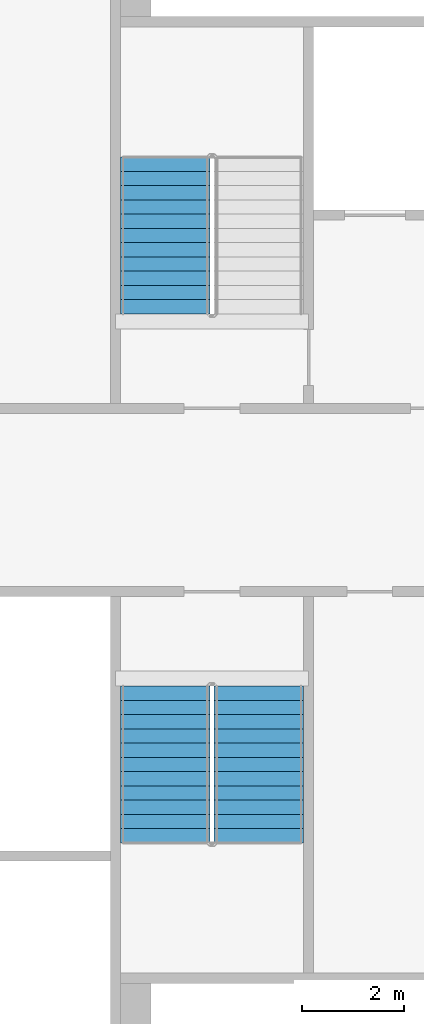
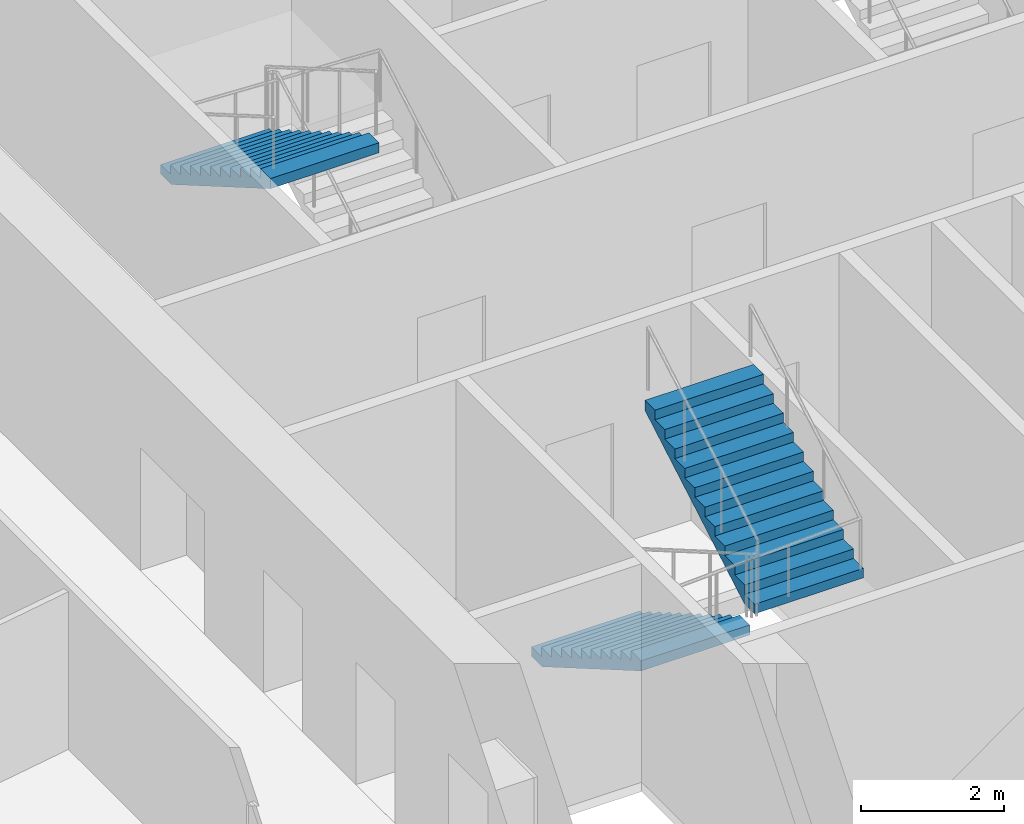
# One storey, part 8 of 16: 3 stair flights, 2 elements without a shape of their own.
"""IFC4 building model written with IfcOpenShell, lengths in metres."""

from ifc_helpers import new_model, si_unit, direction, frame, origin, place, context, subcontext, project, spatial, faceted_brep, material, type_object, element, aggregate, save


model = new_model("IFC4")

# Units and contexts
model_context = context("Model", 3, precision=1e-05, world=origin(), true_north=direction((0.0, 1.0)))
body_context = subcontext(model_context, "Body", "Model", "MODEL_VIEW")
ifc_project = project(units=[si_unit("LENGTHUNIT", "METRE"), si_unit("AREAUNIT", "SQUARE_METRE"), si_unit("VOLUMEUNIT", "CUBIC_METRE"), si_unit("PLANEANGLEUNIT", "RADIAN"), si_unit("MASSUNIT", "GRAM", prefix="KILO")], contexts=[model_context])

# Site, building, storey
site_placement = place(None, origin())
site = spatial("IfcSite", under=ifc_project, at=site_placement, CompositionType="ELEMENT")
building_placement = place(site_placement, origin())
building = spatial("IfcBuilding", under=site, at=building_placement, Name="Tarsis Ring Headquarters", CompositionType="ELEMENT")
storey_placement = place(building_placement, frame((0.0, 0.0, 96.699951171875)))
storey = spatial("IfcBuildingStorey", under=building, at=storey_placement, Name="L21", CompositionType="ELEMENT", Elevation=96.699951171875)

# Stair, stair flight
ifc_material_1 = material(Name="Core stair 1760")
stair_type = type_object("IfcStairType", Name="Core stair 1760", PredefinedType="HALF_TURN_STAIR", material=ifc_material_1)
stair_1_placement = place(storey_placement, origin())
stair_1 = element("IfcStair", 1, at=stair_1_placement, inside=storey, type_object=stair_type, Name="L21 Firefighting stair", PredefinedType="HALF_TURN_STAIR")
ifc_material_2 = material(Name="Concrete C40/50", Category="concrete")
stair_flight_type = type_object("IfcStairFlightType", Name="Core stair flight 1760", PredefinedType="STRAIGHT", material=ifc_material_2)
stair_flight_1_placement = place(storey_placement, frame((-5.419921875, 6.739990234375, 1.949951171875), z_axis=(0.0, 0.0, 1.0), x_axis=(0.0, -1.0, 0.0)))
stair_flight_1 = element("IfcStairFlight", 2, at=stair_flight_1_placement, type_object=stair_flight_type, Name="Stair ST1 flight 2", NumberOfRisers=12, NumberOfTreads=11, PredefinedType="STRAIGHT", RiserHeight=0.1625, TreadLength=0.28, context=body_context, shape_type="Brep", body=[
    faceted_brep([(0.0, 0.8798828125, 0.0), (0.0, 0.8798828125, 0.16259765625), (0.280029296875, 0.8798828125, 0.16259765625), (0.280029296875, 0.8798828125, 0.324951171875), (0.56005859375, 0.8798828125, 0.324951171875), (0.56005859375, 0.8798828125, 0.487548828125), (0.840087890625, 0.8798828125, 0.487548828125), (0.840087890625, 0.8798828125, 0.64990234375), (1.1201171875, 0.8798828125, 0.64990234375), (1.1201171875, 0.8798828125, 0.8125), (1.39990234375, 0.8798828125, 0.8125), (1.39990234375, 0.8798828125, 0.97509765625), (1.679931640625, 0.8798828125, 0.97509765625), (1.679931640625, 0.8798828125, 1.137451171875), (1.9599609375, 0.8798828125, 1.137451171875), (1.9599609375, 0.8798828125, 1.300048828125), (2.239990234375, 0.8798828125, 1.300048828125), (2.239990234375, 0.8798828125, 1.46240234375), (2.52001953125, 0.8798828125, 1.46240234375), (2.52001953125, 0.8798828125, 1.625), (2.800048828125, 0.8798828125, 1.625), (2.800048828125, 0.8798828125, 1.78759765625), (3.080078125, 0.8798828125, 1.78759765625), (3.080078125, 0.8798828125, 1.6142578125), (0.298583984375, 0.8798828125, 0.0), (0.298583984375, -0.8798828125, 0.0), (3.080078125, -0.8798828125, 1.6142578125), (3.080078125, -0.8798828125, 1.78759765625), (2.800048828125, -0.8798828125, 1.78759765625), (2.800048828125, -0.8798828125, 1.625), (2.52001953125, -0.8798828125, 1.625), (2.52001953125, -0.8798828125, 1.46240234375), (2.239990234375, -0.8798828125, 1.46240234375), (2.239990234375, -0.8798828125, 1.300048828125), (1.9599609375, -0.8798828125, 1.300048828125), (1.9599609375, -0.8798828125, 1.137451171875), (1.679931640625, -0.8798828125, 1.137451171875), (1.679931640625, -0.8798828125, 0.97509765625), (1.39990234375, -0.8798828125, 0.97509765625), (1.39990234375, -0.8798828125, 0.8125), (1.1201171875, -0.8798828125, 0.8125), (1.1201171875, -0.8798828125, 0.64990234375), (0.840087890625, -0.8798828125, 0.64990234375), (0.840087890625, -0.8798828125, 0.487548828125), (0.56005859375, -0.8798828125, 0.487548828125), (0.56005859375, -0.8798828125, 0.324951171875), (0.280029296875, -0.8798828125, 0.324951171875), (0.280029296875, -0.8798828125, 0.16259765625), (0.0, -0.8798828125, 0.16259765625), (0.0, -0.8798828125, 0.0), (0.0, -0.43994140625, 0.16259765625), (0.0, -0.43994140625, 0.0), (0.0, 0.0, 0.16259765625), (0.0, 0.0, 0.0), (0.0, 0.43994140625, 0.16259765625), (0.0, 0.43994140625, 0.0), (0.280029296875, -0.43994140625, 0.16259765625), (0.280029296875, 0.0, 0.16259765625), (0.280029296875, 0.43994140625, 0.16259765625), (0.280029296875, -0.43994140625, 0.324951171875), (0.280029296875, 0.0, 0.324951171875), (0.280029296875, 0.43994140625, 0.324951171875), (0.56005859375, -0.43994140625, 0.324951171875), (0.56005859375, 0.0, 0.324951171875), (0.56005859375, 0.43994140625, 0.324951171875), (0.56005859375, -0.43994140625, 0.487548828125), (0.56005859375, 0.0, 0.487548828125), (0.56005859375, 0.43994140625, 0.487548828125), (0.840087890625, -0.43994140625, 0.487548828125), (0.840087890625, 0.0, 0.487548828125), (0.840087890625, 0.43994140625, 0.487548828125), (0.840087890625, -0.43994140625, 0.64990234375), (0.840087890625, 0.0, 0.64990234375), (0.840087890625, 0.43994140625, 0.64990234375), (1.1201171875, -0.43994140625, 0.64990234375), (1.1201171875, 0.0, 0.64990234375), (1.1201171875, 0.43994140625, 0.64990234375), (1.1201171875, -0.43994140625, 0.8125), (1.1201171875, 0.0, 0.8125), (1.1201171875, 0.43994140625, 0.8125), (1.39990234375, -0.43994140625, 0.8125), (1.39990234375, 0.0, 0.8125), (1.39990234375, 0.43994140625, 0.8125), (1.39990234375, -0.43994140625, 0.97509765625), (1.39990234375, 0.0, 0.97509765625), (1.39990234375, 0.43994140625, 0.97509765625), (1.679931640625, -0.43994140625, 0.97509765625), (1.679931640625, 0.0, 0.97509765625), (1.679931640625, 0.43994140625, 0.97509765625), (1.679931640625, -0.43994140625, 1.137451171875), (1.679931640625, 0.0, 1.137451171875), (1.679931640625, 0.43994140625, 1.137451171875), (1.9599609375, -0.43994140625, 1.137451171875), (1.9599609375, 0.0, 1.137451171875), (1.9599609375, 0.43994140625, 1.137451171875), (1.9599609375, -0.43994140625, 1.300048828125), (1.9599609375, 0.0, 1.300048828125), (1.9599609375, 0.43994140625, 1.300048828125), (2.239990234375, -0.43994140625, 1.300048828125), (2.239990234375, 0.0, 1.300048828125), (2.239990234375, 0.43994140625, 1.300048828125), (2.239990234375, -0.43994140625, 1.46240234375), (2.239990234375, 0.0, 1.46240234375), (2.239990234375, 0.43994140625, 1.46240234375), (2.52001953125, -0.43994140625, 1.46240234375), (2.52001953125, 0.0, 1.46240234375), (2.52001953125, 0.43994140625, 1.46240234375), (2.52001953125, -0.43994140625, 1.625), (2.52001953125, 0.0, 1.625), (2.52001953125, 0.43994140625, 1.625), (2.800048828125, -0.43994140625, 1.625), (2.800048828125, 0.0, 1.625), (2.800048828125, 0.43994140625, 1.625), (2.800048828125, -0.43994140625, 1.78759765625), (2.800048828125, 0.0, 1.78759765625), (2.800048828125, 0.43994140625, 1.78759765625), (3.080078125, -0.43994140625, 1.78759765625), (3.080078125, 0.0, 1.78759765625), (3.080078125, 0.43994140625, 1.78759765625), (3.080078125, -0.43994140625, 1.6142578125), (3.080078125, 0.0, 1.6142578125), (3.080078125, 0.43994140625, 1.6142578125), (0.298583984375, -0.43994140625, 0.0), (0.298583984375, 0.0, 0.0), (0.298583984375, 0.43994140625, 0.0)], [[[0, 1, 2, 3, 4, 5, 6, 7, 8, 9, 10, 11, 12, 13, 14, 15, 16, 17, 18, 19, 20, 21, 22, 23, 24]], [[25, 26, 27, 28, 29, 30, 31, 32, 33, 34, 35, 36, 37, 38, 39, 40, 41, 42, 43, 44, 45, 46, 47, 48, 49]], [[49, 48, 50, 51]], [[51, 50, 52, 53]], [[53, 52, 54, 55]], [[55, 54, 1, 0]], [[48, 47, 56, 50]], [[50, 56, 57, 52]], [[52, 57, 58, 54]], [[54, 58, 2, 1]], [[47, 46, 59, 56]], [[56, 59, 60, 57]], [[57, 60, 61, 58]], [[58, 61, 3, 2]], [[46, 45, 62, 59]], [[59, 62, 63, 60]], [[60, 63, 64, 61]], [[61, 64, 4, 3]], [[45, 44, 65, 62]], [[62, 65, 66, 63]], [[63, 66, 67, 64]], [[64, 67, 5, 4]], [[44, 43, 68, 65]], [[65, 68, 69, 66]], [[66, 69, 70, 67]], [[67, 70, 6, 5]], [[43, 42, 71, 68]], [[68, 71, 72, 69]], [[69, 72, 73, 70]], [[70, 73, 7, 6]], [[42, 41, 74, 71]], [[71, 74, 75, 72]], [[72, 75, 76, 73]], [[73, 76, 8, 7]], [[41, 40, 77, 74]], [[74, 77, 78, 75]], [[75, 78, 79, 76]], [[76, 79, 9, 8]], [[40, 39, 80, 77]], [[77, 80, 81, 78]], [[78, 81, 82, 79]], [[79, 82, 10, 9]], [[39, 38, 83, 80]], [[80, 83, 84, 81]], [[81, 84, 85, 82]], [[82, 85, 11, 10]], [[38, 37, 86, 83]], [[83, 86, 87, 84]], [[84, 87, 88, 85]], [[85, 88, 12, 11]], [[37, 36, 89, 86]], [[86, 89, 90, 87]], [[87, 90, 91, 88]], [[88, 91, 13, 12]], [[36, 35, 92, 89]], [[89, 92, 93, 90]], [[90, 93, 94, 91]], [[91, 94, 14, 13]], [[35, 34, 95, 92]], [[92, 95, 96, 93]], [[93, 96, 97, 94]], [[94, 97, 15, 14]], [[34, 33, 98, 95]], [[95, 98, 99, 96]], [[96, 99, 100, 97]], [[97, 100, 16, 15]], [[33, 32, 101, 98]], [[98, 101, 102, 99]], [[99, 102, 103, 100]], [[100, 103, 17, 16]], [[32, 31, 104, 101]], [[101, 104, 105, 102]], [[102, 105, 106, 103]], [[103, 106, 18, 17]], [[31, 30, 107, 104]], [[104, 107, 108, 105]], [[105, 108, 109, 106]], [[106, 109, 19, 18]], [[30, 29, 110, 107]], [[107, 110, 111, 108]], [[108, 111, 112, 109]], [[109, 112, 20, 19]], [[29, 28, 113, 110]], [[110, 113, 114, 111]], [[111, 114, 115, 112]], [[112, 115, 21, 20]], [[28, 27, 116, 113]], [[113, 116, 117, 114]], [[114, 117, 118, 115]], [[115, 118, 22, 21]], [[27, 26, 119, 116]], [[116, 119, 120, 117]], [[117, 120, 121, 118]], [[118, 121, 23, 22]], [[26, 25, 122, 119]], [[119, 122, 123, 120]], [[120, 123, 124, 121]], [[121, 124, 24, 23]], [[25, 49, 51, 122]], [[122, 51, 53, 123]], [[123, 53, 55, 124]], [[124, 55, 0, 24]]]),
])
aggregate(stair_1, [stair_flight_1])

# Stair, stair flights
stair_2_placement = place(storey_placement, origin())
stair_2 = element("IfcStair", 3, at=stair_2_placement, inside=storey, type_object=stair_type, Name="L21 Exit stair C", PredefinedType="HALF_TURN_STAIR")
stair_flight_2_placement = place(storey_placement, frame((-5.419921875, -3.659912109375, 0.0), z_axis=(0.0, 0.0, 1.0), x_axis=(0.0, -1.0, 0.0)))
stair_flight_2 = element("IfcStairFlight", 4, at=stair_flight_2_placement, type_object=stair_flight_type, Name="Stair ST3 flight 1", NumberOfRisers=12, NumberOfTreads=11, PredefinedType="STRAIGHT", RiserHeight=0.1625, TreadLength=0.28, context=body_context, shape_type="Brep", body=[
    faceted_brep([(0.0, 0.8798828125, 0.0), (0.0, 0.8798828125, 0.16259765625), (0.280029296875, 0.8798828125, 0.16259765625), (0.280029296875, 0.8798828125, 0.324951171875), (0.56005859375, 0.8798828125, 0.324951171875), (0.56005859375, 0.8798828125, 0.487548828125), (0.840087890625, 0.8798828125, 0.487548828125), (0.840087890625, 0.8798828125, 0.64990234375), (1.1201171875, 0.8798828125, 0.64990234375), (1.1201171875, 0.8798828125, 0.8125), (1.39990234375, 0.8798828125, 0.8125), (1.39990234375, 0.8798828125, 0.97509765625), (1.679931640625, 0.8798828125, 0.97509765625), (1.679931640625, 0.8798828125, 1.137451171875), (1.9599609375, 0.8798828125, 1.137451171875), (1.9599609375, 0.8798828125, 1.300048828125), (2.239990234375, 0.8798828125, 1.300048828125), (2.239990234375, 0.8798828125, 1.46240234375), (2.52001953125, 0.8798828125, 1.46240234375), (2.52001953125, 0.8798828125, 1.625), (2.800048828125, 0.8798828125, 1.625), (2.800048828125, 0.8798828125, 1.78759765625), (3.080078125, 0.8798828125, 1.78759765625), (3.080078125, 0.8798828125, 1.6142578125), (0.298583984375, 0.8798828125, 0.0), (0.298583984375, -0.8798828125, 0.0), (3.080078125, -0.8798828125, 1.6142578125), (3.080078125, -0.8798828125, 1.78759765625), (2.800048828125, -0.8798828125, 1.78759765625), (2.800048828125, -0.8798828125, 1.625), (2.52001953125, -0.8798828125, 1.625), (2.52001953125, -0.8798828125, 1.46240234375), (2.239990234375, -0.8798828125, 1.46240234375), (2.239990234375, -0.8798828125, 1.300048828125), (1.9599609375, -0.8798828125, 1.300048828125), (1.9599609375, -0.8798828125, 1.137451171875), (1.679931640625, -0.8798828125, 1.137451171875), (1.679931640625, -0.8798828125, 0.97509765625), (1.39990234375, -0.8798828125, 0.97509765625), (1.39990234375, -0.8798828125, 0.8125), (1.1201171875, -0.8798828125, 0.8125), (1.1201171875, -0.8798828125, 0.64990234375), (0.840087890625, -0.8798828125, 0.64990234375), (0.840087890625, -0.8798828125, 0.487548828125), (0.56005859375, -0.8798828125, 0.487548828125), (0.56005859375, -0.8798828125, 0.324951171875), (0.280029296875, -0.8798828125, 0.324951171875), (0.280029296875, -0.8798828125, 0.16259765625), (0.0, -0.8798828125, 0.16259765625), (0.0, -0.8798828125, 0.0), (0.0, -0.43994140625, 0.16259765625), (0.0, -0.43994140625, 0.0), (0.0, 0.0, 0.16259765625), (0.0, 0.0, 0.0), (0.0, 0.43994140625, 0.16259765625), (0.0, 0.43994140625, 0.0), (0.280029296875, -0.43994140625, 0.16259765625), (0.280029296875, 0.0, 0.16259765625), (0.280029296875, 0.43994140625, 0.16259765625), (0.280029296875, -0.43994140625, 0.324951171875), (0.280029296875, 0.0, 0.324951171875), (0.280029296875, 0.43994140625, 0.324951171875), (0.56005859375, -0.43994140625, 0.324951171875), (0.56005859375, 0.0, 0.324951171875), (0.56005859375, 0.43994140625, 0.324951171875), (0.56005859375, -0.43994140625, 0.487548828125), (0.56005859375, 0.0, 0.487548828125), (0.56005859375, 0.43994140625, 0.487548828125), (0.840087890625, -0.43994140625, 0.487548828125), (0.840087890625, 0.0, 0.487548828125), (0.840087890625, 0.43994140625, 0.487548828125), (0.840087890625, -0.43994140625, 0.64990234375), (0.840087890625, 0.0, 0.64990234375), (0.840087890625, 0.43994140625, 0.64990234375), (1.1201171875, -0.43994140625, 0.64990234375), (1.1201171875, 0.0, 0.64990234375), (1.1201171875, 0.43994140625, 0.64990234375), (1.1201171875, -0.43994140625, 0.8125), (1.1201171875, 0.0, 0.8125), (1.1201171875, 0.43994140625, 0.8125), (1.39990234375, -0.43994140625, 0.8125), (1.39990234375, 0.0, 0.8125), (1.39990234375, 0.43994140625, 0.8125), (1.39990234375, -0.43994140625, 0.97509765625), (1.39990234375, 0.0, 0.97509765625), (1.39990234375, 0.43994140625, 0.97509765625), (1.679931640625, -0.43994140625, 0.97509765625), (1.679931640625, 0.0, 0.97509765625), (1.679931640625, 0.43994140625, 0.97509765625), (1.679931640625, -0.43994140625, 1.137451171875), (1.679931640625, 0.0, 1.137451171875), (1.679931640625, 0.43994140625, 1.137451171875), (1.9599609375, -0.43994140625, 1.137451171875), (1.9599609375, 0.0, 1.137451171875), (1.9599609375, 0.43994140625, 1.137451171875), (1.9599609375, -0.43994140625, 1.300048828125), (1.9599609375, 0.0, 1.300048828125), (1.9599609375, 0.43994140625, 1.300048828125), (2.239990234375, -0.43994140625, 1.300048828125), (2.239990234375, 0.0, 1.300048828125), (2.239990234375, 0.43994140625, 1.300048828125), (2.239990234375, -0.43994140625, 1.46240234375), (2.239990234375, 0.0, 1.46240234375), (2.239990234375, 0.43994140625, 1.46240234375), (2.52001953125, -0.43994140625, 1.46240234375), (2.52001953125, 0.0, 1.46240234375), (2.52001953125, 0.43994140625, 1.46240234375), (2.52001953125, -0.43994140625, 1.625), (2.52001953125, 0.0, 1.625), (2.52001953125, 0.43994140625, 1.625), (2.800048828125, -0.43994140625, 1.625), (2.800048828125, 0.0, 1.625), (2.800048828125, 0.43994140625, 1.625), (2.800048828125, -0.43994140625, 1.78759765625), (2.800048828125, 0.0, 1.78759765625), (2.800048828125, 0.43994140625, 1.78759765625), (3.080078125, -0.43994140625, 1.78759765625), (3.080078125, 0.0, 1.78759765625), (3.080078125, 0.43994140625, 1.78759765625), (3.080078125, -0.43994140625, 1.6142578125), (3.080078125, 0.0, 1.6142578125), (3.080078125, 0.43994140625, 1.6142578125), (0.298583984375, -0.43994140625, 0.0), (0.298583984375, 0.0, 0.0), (0.298583984375, 0.43994140625, 0.0)], [[[0, 1, 2, 3, 4, 5, 6, 7, 8, 9, 10, 11, 12, 13, 14, 15, 16, 17, 18, 19, 20, 21, 22, 23, 24]], [[25, 26, 27, 28, 29, 30, 31, 32, 33, 34, 35, 36, 37, 38, 39, 40, 41, 42, 43, 44, 45, 46, 47, 48, 49]], [[49, 48, 50, 51]], [[51, 50, 52, 53]], [[53, 52, 54, 55]], [[55, 54, 1, 0]], [[48, 47, 56, 50]], [[50, 56, 57, 52]], [[52, 57, 58, 54]], [[54, 58, 2, 1]], [[47, 46, 59, 56]], [[56, 59, 60, 57]], [[57, 60, 61, 58]], [[58, 61, 3, 2]], [[46, 45, 62, 59]], [[59, 62, 63, 60]], [[60, 63, 64, 61]], [[61, 64, 4, 3]], [[45, 44, 65, 62]], [[62, 65, 66, 63]], [[63, 66, 67, 64]], [[64, 67, 5, 4]], [[44, 43, 68, 65]], [[65, 68, 69, 66]], [[66, 69, 70, 67]], [[67, 70, 6, 5]], [[43, 42, 71, 68]], [[68, 71, 72, 69]], [[69, 72, 73, 70]], [[70, 73, 7, 6]], [[42, 41, 74, 71]], [[71, 74, 75, 72]], [[72, 75, 76, 73]], [[73, 76, 8, 7]], [[41, 40, 77, 74]], [[74, 77, 78, 75]], [[75, 78, 79, 76]], [[76, 79, 9, 8]], [[40, 39, 80, 77]], [[77, 80, 81, 78]], [[78, 81, 82, 79]], [[79, 82, 10, 9]], [[39, 38, 83, 80]], [[80, 83, 84, 81]], [[81, 84, 85, 82]], [[82, 85, 11, 10]], [[38, 37, 86, 83]], [[83, 86, 87, 84]], [[84, 87, 88, 85]], [[85, 88, 12, 11]], [[37, 36, 89, 86]], [[86, 89, 90, 87]], [[87, 90, 91, 88]], [[88, 91, 13, 12]], [[36, 35, 92, 89]], [[89, 92, 93, 90]], [[90, 93, 94, 91]], [[91, 94, 14, 13]], [[35, 34, 95, 92]], [[92, 95, 96, 93]], [[93, 96, 97, 94]], [[94, 97, 15, 14]], [[34, 33, 98, 95]], [[95, 98, 99, 96]], [[96, 99, 100, 97]], [[97, 100, 16, 15]], [[33, 32, 101, 98]], [[98, 101, 102, 99]], [[99, 102, 103, 100]], [[100, 103, 17, 16]], [[32, 31, 104, 101]], [[101, 104, 105, 102]], [[102, 105, 106, 103]], [[103, 106, 18, 17]], [[31, 30, 107, 104]], [[104, 107, 108, 105]], [[105, 108, 109, 106]], [[106, 109, 19, 18]], [[30, 29, 110, 107]], [[107, 110, 111, 108]], [[108, 111, 112, 109]], [[109, 112, 20, 19]], [[29, 28, 113, 110]], [[110, 113, 114, 111]], [[111, 114, 115, 112]], [[112, 115, 21, 20]], [[28, 27, 116, 113]], [[113, 116, 117, 114]], [[114, 117, 118, 115]], [[115, 118, 22, 21]], [[27, 26, 119, 116]], [[116, 119, 120, 117]], [[117, 120, 121, 118]], [[118, 121, 23, 22]], [[26, 25, 122, 119]], [[119, 122, 123, 120]], [[120, 123, 124, 121]], [[121, 124, 24, 23]], [[25, 49, 51, 122]], [[122, 51, 53, 123]], [[123, 53, 55, 124]], [[124, 55, 0, 24]]]),
])
stair_flight_3_placement = place(storey_placement, frame((-3.580078125, -6.739990234375, 1.949951171875), z_axis=(0.0, 0.0, 1.0), x_axis=(0.0, 1.0, 0.0)))
stair_flight_3 = element("IfcStairFlight", 5, at=stair_flight_3_placement, type_object=stair_flight_type, Name="Stair ST3 flight 2", NumberOfRisers=12, NumberOfTreads=11, PredefinedType="STRAIGHT", RiserHeight=0.1625, TreadLength=0.28, context=body_context, shape_type="Brep", body=[
    faceted_brep([(0.0, 0.8798828125, 0.0), (0.0, 0.8798828125, 0.16259765625), (0.280029296875, 0.8798828125, 0.16259765625), (0.280029296875, 0.8798828125, 0.324951171875), (0.56005859375, 0.8798828125, 0.324951171875), (0.56005859375, 0.8798828125, 0.487548828125), (0.840087890625, 0.8798828125, 0.487548828125), (0.840087890625, 0.8798828125, 0.64990234375), (1.1201171875, 0.8798828125, 0.64990234375), (1.1201171875, 0.8798828125, 0.8125), (1.39990234375, 0.8798828125, 0.8125), (1.39990234375, 0.8798828125, 0.97509765625), (1.679931640625, 0.8798828125, 0.97509765625), (1.679931640625, 0.8798828125, 1.137451171875), (1.9599609375, 0.8798828125, 1.137451171875), (1.9599609375, 0.8798828125, 1.300048828125), (2.239990234375, 0.8798828125, 1.300048828125), (2.239990234375, 0.8798828125, 1.46240234375), (2.52001953125, 0.8798828125, 1.46240234375), (2.52001953125, 0.8798828125, 1.625), (2.800048828125, 0.8798828125, 1.625), (2.800048828125, 0.8798828125, 1.78759765625), (3.080078125, 0.8798828125, 1.78759765625), (3.080078125, 0.8798828125, 1.6142578125), (0.298583984375, 0.8798828125, 0.0), (0.298583984375, -0.8798828125, 0.0), (3.080078125, -0.8798828125, 1.6142578125), (3.080078125, -0.8798828125, 1.78759765625), (2.800048828125, -0.8798828125, 1.78759765625), (2.800048828125, -0.8798828125, 1.625), (2.52001953125, -0.8798828125, 1.625), (2.52001953125, -0.8798828125, 1.46240234375), (2.239990234375, -0.8798828125, 1.46240234375), (2.239990234375, -0.8798828125, 1.300048828125), (1.9599609375, -0.8798828125, 1.300048828125), (1.9599609375, -0.8798828125, 1.137451171875), (1.679931640625, -0.8798828125, 1.137451171875), (1.679931640625, -0.8798828125, 0.97509765625), (1.39990234375, -0.8798828125, 0.97509765625), (1.39990234375, -0.8798828125, 0.8125), (1.1201171875, -0.8798828125, 0.8125), (1.1201171875, -0.8798828125, 0.64990234375), (0.840087890625, -0.8798828125, 0.64990234375), (0.840087890625, -0.8798828125, 0.487548828125), (0.56005859375, -0.8798828125, 0.487548828125), (0.56005859375, -0.8798828125, 0.324951171875), (0.280029296875, -0.8798828125, 0.324951171875), (0.280029296875, -0.8798828125, 0.16259765625), (0.0, -0.8798828125, 0.16259765625), (0.0, -0.8798828125, 0.0), (0.0, -0.43994140625, 0.16259765625), (0.0, -0.43994140625, 0.0), (0.0, 0.0, 0.16259765625), (0.0, 0.0, 0.0), (0.0, 0.43994140625, 0.16259765625), (0.0, 0.43994140625, 0.0), (0.280029296875, -0.43994140625, 0.16259765625), (0.280029296875, 0.0, 0.16259765625), (0.280029296875, 0.43994140625, 0.16259765625), (0.280029296875, -0.43994140625, 0.324951171875), (0.280029296875, 0.0, 0.324951171875), (0.280029296875, 0.43994140625, 0.324951171875), (0.56005859375, -0.43994140625, 0.324951171875), (0.56005859375, 0.0, 0.324951171875), (0.56005859375, 0.43994140625, 0.324951171875), (0.56005859375, -0.43994140625, 0.487548828125), (0.56005859375, 0.0, 0.487548828125), (0.56005859375, 0.43994140625, 0.487548828125), (0.840087890625, -0.43994140625, 0.487548828125), (0.840087890625, 0.0, 0.487548828125), (0.840087890625, 0.43994140625, 0.487548828125), (0.840087890625, -0.43994140625, 0.64990234375), (0.840087890625, 0.0, 0.64990234375), (0.840087890625, 0.43994140625, 0.64990234375), (1.1201171875, -0.43994140625, 0.64990234375), (1.1201171875, 0.0, 0.64990234375), (1.1201171875, 0.43994140625, 0.64990234375), (1.1201171875, -0.43994140625, 0.8125), (1.1201171875, 0.0, 0.8125), (1.1201171875, 0.43994140625, 0.8125), (1.39990234375, -0.43994140625, 0.8125), (1.39990234375, 0.0, 0.8125), (1.39990234375, 0.43994140625, 0.8125), (1.39990234375, -0.43994140625, 0.97509765625), (1.39990234375, 0.0, 0.97509765625), (1.39990234375, 0.43994140625, 0.97509765625), (1.679931640625, -0.43994140625, 0.97509765625), (1.679931640625, 0.0, 0.97509765625), (1.679931640625, 0.43994140625, 0.97509765625), (1.679931640625, -0.43994140625, 1.137451171875), (1.679931640625, 0.0, 1.137451171875), (1.679931640625, 0.43994140625, 1.137451171875), (1.9599609375, -0.43994140625, 1.137451171875), (1.9599609375, 0.0, 1.137451171875), (1.9599609375, 0.43994140625, 1.137451171875), (1.9599609375, -0.43994140625, 1.300048828125), (1.9599609375, 0.0, 1.300048828125), (1.9599609375, 0.43994140625, 1.300048828125), (2.239990234375, -0.43994140625, 1.300048828125), (2.239990234375, 0.0, 1.300048828125), (2.239990234375, 0.43994140625, 1.300048828125), (2.239990234375, -0.43994140625, 1.46240234375), (2.239990234375, 0.0, 1.46240234375), (2.239990234375, 0.43994140625, 1.46240234375), (2.52001953125, -0.43994140625, 1.46240234375), (2.52001953125, 0.0, 1.46240234375), (2.52001953125, 0.43994140625, 1.46240234375), (2.52001953125, -0.43994140625, 1.625), (2.52001953125, 0.0, 1.625), (2.52001953125, 0.43994140625, 1.625), (2.800048828125, -0.43994140625, 1.625), (2.800048828125, 0.0, 1.625), (2.800048828125, 0.43994140625, 1.625), (2.800048828125, -0.43994140625, 1.78759765625), (2.800048828125, 0.0, 1.78759765625), (2.800048828125, 0.43994140625, 1.78759765625), (3.080078125, -0.43994140625, 1.78759765625), (3.080078125, 0.0, 1.78759765625), (3.080078125, 0.43994140625, 1.78759765625), (3.080078125, -0.43994140625, 1.6142578125), (3.080078125, 0.0, 1.6142578125), (3.080078125, 0.43994140625, 1.6142578125), (0.298583984375, -0.43994140625, 0.0), (0.298583984375, 0.0, 0.0), (0.298583984375, 0.43994140625, 0.0)], [[[0, 1, 2, 3, 4, 5, 6, 7, 8, 9, 10, 11, 12, 13, 14, 15, 16, 17, 18, 19, 20, 21, 22, 23, 24]], [[25, 26, 27, 28, 29, 30, 31, 32, 33, 34, 35, 36, 37, 38, 39, 40, 41, 42, 43, 44, 45, 46, 47, 48, 49]], [[49, 48, 50, 51]], [[51, 50, 52, 53]], [[53, 52, 54, 55]], [[55, 54, 1, 0]], [[48, 47, 56, 50]], [[50, 56, 57, 52]], [[52, 57, 58, 54]], [[54, 58, 2, 1]], [[47, 46, 59, 56]], [[56, 59, 60, 57]], [[57, 60, 61, 58]], [[58, 61, 3, 2]], [[46, 45, 62, 59]], [[59, 62, 63, 60]], [[60, 63, 64, 61]], [[61, 64, 4, 3]], [[45, 44, 65, 62]], [[62, 65, 66, 63]], [[63, 66, 67, 64]], [[64, 67, 5, 4]], [[44, 43, 68, 65]], [[65, 68, 69, 66]], [[66, 69, 70, 67]], [[67, 70, 6, 5]], [[43, 42, 71, 68]], [[68, 71, 72, 69]], [[69, 72, 73, 70]], [[70, 73, 7, 6]], [[42, 41, 74, 71]], [[71, 74, 75, 72]], [[72, 75, 76, 73]], [[73, 76, 8, 7]], [[41, 40, 77, 74]], [[74, 77, 78, 75]], [[75, 78, 79, 76]], [[76, 79, 9, 8]], [[40, 39, 80, 77]], [[77, 80, 81, 78]], [[78, 81, 82, 79]], [[79, 82, 10, 9]], [[39, 38, 83, 80]], [[80, 83, 84, 81]], [[81, 84, 85, 82]], [[82, 85, 11, 10]], [[38, 37, 86, 83]], [[83, 86, 87, 84]], [[84, 87, 88, 85]], [[85, 88, 12, 11]], [[37, 36, 89, 86]], [[86, 89, 90, 87]], [[87, 90, 91, 88]], [[88, 91, 13, 12]], [[36, 35, 92, 89]], [[89, 92, 93, 90]], [[90, 93, 94, 91]], [[91, 94, 14, 13]], [[35, 34, 95, 92]], [[92, 95, 96, 93]], [[93, 96, 97, 94]], [[94, 97, 15, 14]], [[34, 33, 98, 95]], [[95, 98, 99, 96]], [[96, 99, 100, 97]], [[97, 100, 16, 15]], [[33, 32, 101, 98]], [[98, 101, 102, 99]], [[99, 102, 103, 100]], [[100, 103, 17, 16]], [[32, 31, 104, 101]], [[101, 104, 105, 102]], [[102, 105, 106, 103]], [[103, 106, 18, 17]], [[31, 30, 107, 104]], [[104, 107, 108, 105]], [[105, 108, 109, 106]], [[106, 109, 19, 18]], [[30, 29, 110, 107]], [[107, 110, 111, 108]], [[108, 111, 112, 109]], [[109, 112, 20, 19]], [[29, 28, 113, 110]], [[110, 113, 114, 111]], [[111, 114, 115, 112]], [[112, 115, 21, 20]], [[28, 27, 116, 113]], [[113, 116, 117, 114]], [[114, 117, 118, 115]], [[115, 118, 22, 21]], [[27, 26, 119, 116]], [[116, 119, 120, 117]], [[117, 120, 121, 118]], [[118, 121, 23, 22]], [[26, 25, 122, 119]], [[119, 122, 123, 120]], [[120, 123, 124, 121]], [[121, 124, 24, 23]], [[25, 49, 51, 122]], [[122, 51, 53, 123]], [[123, 53, 55, 124]], [[124, 55, 0, 24]]]),
])
aggregate(stair_2, [stair_flight_2, stair_flight_3])

save(model, "model.ifc")
